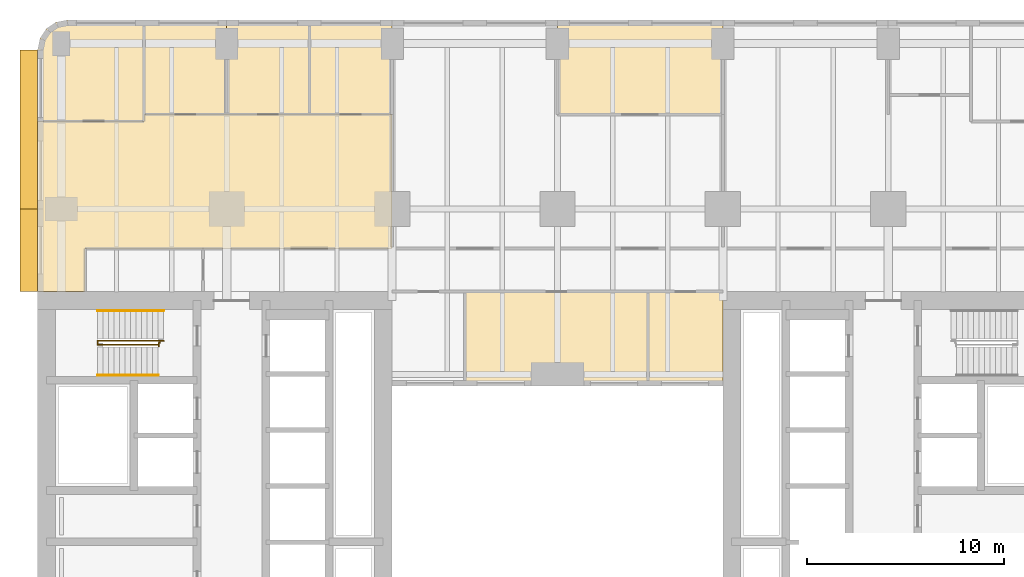
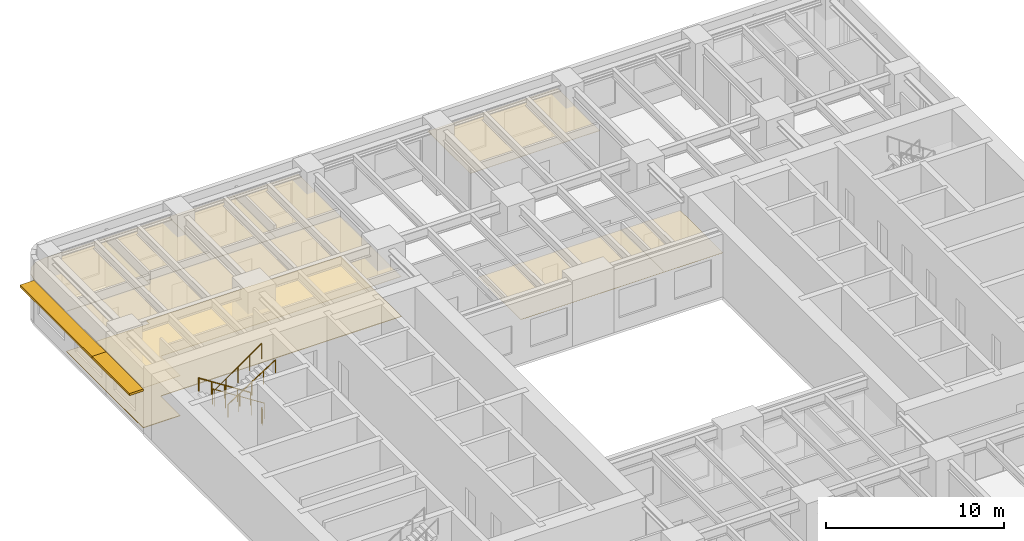
# One storey, part 12 of 13: 9 coverings, 4 railings, 2 shading devices.
"""IFC4 building model written with IfcOpenShell, lengths in metres."""

from ifc_helpers import new_model, si_unit, direction, frame, origin, origin_2d, place, context, subcontext, project, spatial, polyline, rectangle, circle, outline, extrude, material, layer, layer_set, type_object, element, save


model = new_model("IFC4")

# Units and contexts
model_context = context("Model", 3, precision=1e-05, world=origin(), true_north=direction((0.0, 1.0)))
body_context = subcontext(model_context, "Body", "Model", "MODEL_VIEW")
ifc_project = project(units=[si_unit("LENGTHUNIT", "METRE"), si_unit("AREAUNIT", "SQUARE_METRE"), si_unit("VOLUMEUNIT", "CUBIC_METRE"), si_unit("PLANEANGLEUNIT", "RADIAN"), si_unit("MASSUNIT", "GRAM", prefix="KILO")], contexts=[model_context])

# Site, building, storey
site_placement = place(None, origin())
site = spatial("IfcSite", under=ifc_project, at=site_placement, CompositionType="ELEMENT")
building_placement = place(site_placement, origin())
building = spatial("IfcBuilding", under=site, at=building_placement, Name="Claustro Exchange Tower", CompositionType="ELEMENT")
storey_placement = place(building_placement, frame((0.0, 0.0, 86.39990234375)))
storey = spatial("IfcBuildingStorey", under=building, at=storey_placement, Name="L19", CompositionType="ELEMENT", Elevation=86.39990234375)

# Coverings
ifc_material_1 = material(Name="Gypsum board ceiling", Category="gypsum board")
ifc_layer_1 = layer(ifc_material_1, 0.02490234375)
ifc_layer_set_1 = layer_set([ifc_layer_1], Name="Gypsum board ceiling")
covering_type_1 = type_object("IfcCoveringType", Name="CL2 plasterboard ceiling", PredefinedType="CEILING", material=ifc_layer_set_1)
covering_1_placement = place(storey_placement, frame((0.0, 0.0, 3.0)))
element("IfcCovering", 1, at=covering_1_placement, inside=storey, type_object=covering_type_1, Name="Ceiling CL2 L19-16", PredefinedType="CEILING", context=body_context, shape_type="SweptSolid", body=[
    extrude(outline(polyline([(20.5, 33.0), (29.800048828125, 33.0), (29.800048828125, 37.800048828125), (20.5, 37.800048828125), (20.5, 33.0)])), origin(), (0.0, 0.0, 1.0), 0.025146484375),
])
covering_2_placement = place(storey_placement, frame((0.0, 0.0, 3.0)))
element("IfcCovering", 2, at=covering_2_placement, inside=storey, type_object=covering_type_1, Name="Ceiling CL2 L19-17", PredefinedType="CEILING", context=body_context, shape_type="SweptSolid", body=[
    extrude(outline(polyline([(33.60009765625, 33.0), (33.60009765625, 37.800048828125), (29.800048828125, 37.800048828125), (29.800048828125, 33.0), (33.60009765625, 33.0)])), origin(), (0.0, 0.0, 1.0), 0.025146484375),
])
covering_3_placement = place(storey_placement, frame((0.0, 0.0, 3.0)))
element("IfcCovering", 3, at=covering_3_placement, inside=storey, type_object=covering_type_1, Name="Ceiling CL2 L19-20", PredefinedType="CEILING", context=body_context, shape_type="SweptSolid", body=[
    extrude(outline(polyline([(-1.199951171875, 46.449951171875), (-1.199951171875, 37.800048828125), (1.199951171875, 37.800048828125), (1.199951171875, 40.0), (7.199951171875, 40.0), (16.800048828125, 40.0), (16.800048828125, 46.800048828125), (12.60009765625, 46.800048828125), (8.39990234375, 46.800048828125), (4.199951171875, 46.800048828125), (4.199951171875, 46.449951171875), (-1.199951171875, 46.449951171875)])), origin(), (0.0, 0.0, 1.0), 0.025146484375),
])
covering_4_placement = place(storey_placement, frame((0.0, 0.0, 3.0)))
element("IfcCovering", 4, at=covering_4_placement, inside=storey, type_object=covering_type_1, Name="Ceiling CL2 L19-23", PredefinedType="CEILING", context=body_context, shape_type="SweptSolid", body=[
    extrude(outline(polyline([(-1.199951171875, 50.10009765625), (-1.199951171875, 46.449951171875), (4.199951171875, 46.449951171875), (4.199951171875, 51.60009765625), (0.300048828125, 51.60009765625), (-0.27392578125, 51.48583984375), (-0.7607421875, 51.16064453125), (-1.085693359375, 50.674072265625), (-1.199951171875, 50.10009765625)])), origin(), (0.0, 0.0, 1.0), 0.025146484375),
])
covering_5_placement = place(storey_placement, frame((0.0, 0.0, 3.0)))
element("IfcCovering", 5, at=covering_5_placement, inside=storey, type_object=covering_type_1, Name="Ceiling CL2 L19-25", PredefinedType="CEILING", context=body_context, shape_type="SweptSolid", body=[
    extrude(outline(polyline([(8.39990234375, 51.60009765625), (4.199951171875, 51.60009765625), (4.199951171875, 46.800048828125), (8.39990234375, 46.800048828125), (8.39990234375, 51.60009765625)])), origin(), (0.0, 0.0, 1.0), 0.025146484375),
])
covering_6_placement = place(storey_placement, frame((0.0, 0.0, 3.0)))
element("IfcCovering", 6, at=covering_6_placement, inside=storey, type_object=covering_type_1, Name="Ceiling CL2 L19-26", PredefinedType="CEILING", context=body_context, shape_type="SweptSolid", body=[
    extrude(outline(polyline([(12.60009765625, 51.60009765625), (8.39990234375, 51.60009765625), (8.39990234375, 46.800048828125), (12.60009765625, 46.800048828125), (12.60009765625, 51.60009765625)])), origin(), (0.0, 0.0, 1.0), 0.025146484375),
])
covering_7_placement = place(storey_placement, frame((0.0, 0.0, 3.0)))
element("IfcCovering", 7, at=covering_7_placement, inside=storey, type_object=covering_type_1, Name="Ceiling CL2 L19-27", PredefinedType="CEILING", context=body_context, shape_type="SweptSolid", body=[
    extrude(outline(polyline([(16.800048828125, 51.60009765625), (12.60009765625, 51.60009765625), (12.60009765625, 46.800048828125), (16.800048828125, 46.800048828125), (16.800048828125, 51.60009765625)])), origin(), (0.0, 0.0, 1.0), 0.025146484375),
])
covering_8_placement = place(storey_placement, frame((0.0, 0.0, 3.0)))
element("IfcCovering", 8, at=covering_8_placement, inside=storey, type_object=covering_type_1, Name="Ceiling CL2 L19-28", PredefinedType="CEILING", context=body_context, shape_type="SweptSolid", body=[
    extrude(outline(polyline([(33.60009765625, 51.60009765625), (25.199951171875, 51.60009765625), (25.199951171875, 46.800048828125), (33.60009765625, 46.800048828125), (33.60009765625, 51.60009765625)])), origin(), (0.0, 0.0, 1.0), 0.025146484375),
])

# Railings
ifc_material_2 = material(Name="Steel balustrade, painted", Category="steel")
railing_type_1 = type_object("IfcRailingType", Name="GR2 1100 steel stair guard", PredefinedType="GUARDRAIL", material=ifc_material_2)
railing_1_placement = place(storey_placement, frame((5.199951171875, 35.300048828125, 0.18017578125)))
element("IfcRailing", 9, at=railing_1_placement, inside=storey, type_object=railing_type_1, Name="Stair well guard GR2 stair STWB L19", PredefinedType="GUARDRAIL", context=body_context, shape_type="SweptSolid", body=[
    extrude(circle(Radius=0.02392578125, at=origin_2d()), frame((0.0, 0.0, 1.076171875), z_axis=(-0.841178475377, 0.0, 0.540757591313), x_axis=(0.0, -1.0, 0.0)), (0.0, 0.0, 1.0), 3.994140625),
    extrude(circle(Radius=0.02392578125, at=origin_2d()), frame((-3.35986328125, 0.0, 3.23583984375), z_axis=(0.0, -1.0, 0.0), x_axis=(1.0, 0.0, 0.0)), (0.0, 0.0, 1.0), 0.199951171875),
    extrude(circle(Radius=0.02392578125, at=origin_2d()), frame((-3.35986328125, -0.199951171875, 3.23583984375), z_axis=(0.818728512145, 0.0, 0.574180828137), x_axis=(0.0, 1.0, 0.0)), (0.0, 0.0, 1.0), 3.76171875),
    extrude(circle(Radius=0.02099609375, at=origin_2d()), origin(), (0.0, 0.0, 1.0), 1.052001953125),
    extrude(circle(Radius=0.02099609375, at=origin_2d()), frame((-0.83984375, 0.0, 0.5400390625)), (0.0, 0.0, 1.0), 1.052001953125),
    extrude(circle(Radius=0.02099609375, at=origin_2d()), frame((-1.679931640625, 0.0, 1.080078125)), (0.0, 0.0, 1.0), 1.052001953125),
    extrude(circle(Radius=0.02099609375, at=origin_2d()), frame((-2.52001953125, 0.0, 1.619873046875)), (0.0, 0.0, 1.0), 1.052001953125),
    extrude(circle(Radius=0.02099609375, at=origin_2d()), frame((-3.35986328125, 0.0, 2.159912109375)), (0.0, 0.0, 1.0), 1.052001953125),
    extrude(circle(Radius=0.02099609375, at=origin_2d()), frame((-3.35986328125, -0.199951171875, 2.159912109375)), (0.0, 0.0, 1.0), 1.052001953125),
    extrude(circle(Radius=0.02099609375, at=origin_2d()), frame((-2.58984375, -0.199951171875, 2.699951171875)), (0.0, 0.0, 1.0), 1.052001953125),
    extrude(circle(Radius=0.02099609375, at=origin_2d()), frame((-1.81982421875, -0.199951171875, 3.23974609375)), (0.0, 0.0, 1.0), 1.052001953125),
    extrude(circle(Radius=0.02099609375, at=origin_2d()), frame((-1.050048828125, -0.199951171875, 3.77978515625)), (0.0, 0.0, 1.0), 1.052001953125),
    extrude(circle(Radius=0.02099609375, at=origin_2d()), frame((-0.280029296875, -0.199951171875, 4.31982421875)), (0.0, 0.0, 1.0), 1.052001953125),
])
railing_2_placement = place(storey_placement, frame((5.0, 35.22998046875, 0.0)))
element("IfcRailing", 10, at=railing_2_placement, inside=storey, type_object=railing_type_1, Name="Stair guard GR2 STWB L19", PredefinedType="GUARDRAIL", context=body_context, shape_type="SweptSolid", body=[
    extrude(circle(Radius=0.02392578125, at=origin_2d()), frame((0.0, 0.0, 1.076171875), z_axis=(0.0, -1.0, 0.0), x_axis=(1.0, 0.0, 0.0)), (0.0, 0.0, 1.0), 0.030029296875),
    extrude(circle(Radius=0.02392578125, at=origin_2d()), frame((0.0, -0.030029296875, 1.076171875), z_axis=(-1.0, 0.0, 0.0), x_axis=(0.0, -1.0, 0.0)), (0.0, 0.0, 1.0), 0.054931640625),
    extrude(circle(Radius=0.02392578125, at=origin_2d()), frame((-0.054931640625, -0.030029296875, 1.076171875), z_axis=(0.0, -1.0, 0.0), x_axis=(1.0, 0.0, 0.0)), (0.0, 0.0, 1.0), 0.179931640625),
    extrude(circle(Radius=0.02099609375, at=origin_2d()), origin(), (0.0, 0.0, 1.0), 1.052001953125),
    extrude(circle(Radius=0.02099609375, at=origin_2d()), frame((0.0, -0.030029296875, 0.0)), (0.0, 0.0, 1.0), 1.052001953125),
    extrude(circle(Radius=0.02099609375, at=origin_2d()), frame((-0.054931640625, -0.030029296875, 0.0)), (0.0, 0.0, 1.0), 1.052001953125),
    extrude(circle(Radius=0.02099609375, at=origin_2d()), frame((-0.054931640625, -0.2099609375, 0.0)), (0.0, 0.0, 1.0), 1.052001953125),
])
ifc_material_3 = material(Name="Stainless steel tube", Category="steel")
railing_type_2 = type_object("IfcRailingType", Name="HR1 900 stair handrail", PredefinedType="HANDRAIL", material=ifc_material_3)
railing_3_placement = place(storey_placement, frame((5.199951171875, 36.840087890625, 0.18017578125)))
element("IfcRailing", 11, at=railing_3_placement, inside=storey, type_object=railing_type_2, Name="Handrail HR1 stair STWB L19", PredefinedType="HANDRAIL", context=body_context, shape_type="SweptSolid", body=[
    extrude(circle(Radius=0.02392578125, at=origin_2d()), frame((0.0, 0.0, 0.8759765625), z_axis=(-0.841178475377, 0.0, 0.540757591313), x_axis=(0.0, -1.0, 0.0)), (0.0, 0.0, 1.0), 3.994140625),
    extrude(circle(Radius=0.02099609375, at=origin_2d()), origin(), (0.0, 0.0, 1.0), 0.851806640625),
    extrude(circle(Radius=0.02099609375, at=origin_2d()), frame((-0.83984375, 0.0, 0.5400390625)), (0.0, 0.0, 1.0), 0.851806640625),
    extrude(circle(Radius=0.02099609375, at=origin_2d()), frame((-1.679931640625, 0.0, 1.080078125)), (0.0, 0.0, 1.0), 0.851806640625),
    extrude(circle(Radius=0.02099609375, at=origin_2d()), frame((-2.52001953125, 0.0, 1.619873046875)), (0.0, 0.0, 1.0), 0.851806640625),
    extrude(circle(Radius=0.02099609375, at=origin_2d()), frame((-3.35986328125, 0.0, 2.159912109375)), (0.0, 0.0, 1.0), 0.851806640625),
])
railing_4_placement = place(storey_placement, frame((1.840087890625, 33.56005859375, 2.52001953125)))
element("IfcRailing", 12, at=railing_4_placement, inside=storey, type_object=railing_type_2, Name="Handrail HR1 stair STWB L19", PredefinedType="HANDRAIL", context=body_context, shape_type="SweptSolid", body=[
    extrude(circle(Radius=0.02392578125, at=origin_2d()), frame((0.0, 0.0, 0.8759765625), z_axis=(0.841167642724, 0.0, 0.540774441735), x_axis=(0.0, 1.0, 0.0)), (0.0, 0.0, 1.0), 3.661376953125),
    extrude(circle(Radius=0.02099609375, at=origin_2d()), origin(), (0.0, 0.0, 1.0), 0.851806640625),
    extrude(circle(Radius=0.02099609375, at=origin_2d()), frame((0.77001953125, 0.0, 0.4951171875)), (0.0, 0.0, 1.0), 0.851806640625),
    extrude(circle(Radius=0.02099609375, at=origin_2d()), frame((1.5400390625, 0.0, 0.989990234375)), (0.0, 0.0, 1.0), 0.851806640625),
    extrude(circle(Radius=0.02099609375, at=origin_2d()), frame((2.309814453125, 0.0, 1.48486328125)), (0.0, 0.0, 1.0), 0.851806640625),
    extrude(circle(Radius=0.02099609375, at=origin_2d()), frame((3.079833984375, 0.0, 1.97998046875)), (0.0, 0.0, 1.0), 0.851806640625),
])

# Covering
ifc_material_4 = material(Name="Steel-encased raised floor panels on pedestals", Category="steel")
ifc_layer_2 = layer(ifc_material_4, 0.0400390625)
ifc_layer_set_2 = layer_set([ifc_layer_2], Name="Steel-encased raised floor panels on pedestals")
covering_type_2 = type_object("IfcCoveringType", Name="RF1 300 raised access floor", PredefinedType="FLOORING", material=ifc_layer_set_2)
covering_9_placement = place(storey_placement, frame((0.0, 0.0, 0.260009765625)))
element("IfcCovering", 13, at=covering_9_placement, inside=storey, type_object=covering_type_2, Name="Raised access floor RF1 L19-20", PredefinedType="FLOORING", context=body_context, shape_type="SweptSolid", body=[
    extrude(outline(polyline([(-1.199951171875, 46.449951171875), (-1.199951171875, 37.800048828125), (1.199951171875, 37.800048828125), (1.199951171875, 40.0), (7.199951171875, 40.0), (16.800048828125, 40.0), (16.800048828125, 46.800048828125), (12.60009765625, 46.800048828125), (8.39990234375, 46.800048828125), (4.199951171875, 46.800048828125), (4.199951171875, 46.449951171875), (-1.199951171875, 46.449951171875)])), origin(), (0.0, 0.0, 1.0), 0.0400390625),
])

# Shading devices
ifc_material_5 = material(Name="Concrete HA-40 (C40/50), precast, white cement, acid-etched", Category="concrete")
ifc_layer_3 = layer(ifc_material_5, 0.14990234375)
ifc_layer_set_3 = layer_set([ifc_layer_3], Name="Concrete HA-40 (C40/50), precast, white cement, acid-etched")
shading_device_type = type_object("IfcShadingDeviceType", Name="SS2 900 precast concrete SUNSHADE", PredefinedType="SHUTTER", material=ifc_layer_set_3)
shading_device_1_placement = place(storey_placement, frame((-1.64990234375, 39.89990234375, 2.800048828125), z_axis=(0.0, 0.0, 1.0), x_axis=(0.0, 1.0, 0.0)))
element("IfcShadingDevice", 14, at=shading_device_1_placement, inside=storey, type_object=shading_device_type, Name="Precast SUNSHADE SS2 L19", PredefinedType="SHUTTER", context=body_context, shape_type="SweptSolid", body=[
    extrude(rectangle(XDim=4.199951171875, YDim=0.89990234375, at=origin_2d()), origin(), (0.0, 0.0, 1.0), 0.14990234375),
])
shading_device_2_placement = place(storey_placement, frame((-1.64990234375, 46.04248046875, 2.800048828125), z_axis=(0.0, 0.0, 1.0), x_axis=(0.0, 1.0, 0.0)))
element("IfcShadingDevice", 15, at=shading_device_2_placement, inside=storey, type_object=shading_device_type, Name="Precast SUNSHADE SS2 L19", PredefinedType="SHUTTER", context=body_context, shape_type="SweptSolid", body=[
    extrude(rectangle(XDim=8.085205078125, YDim=0.89990234375, at=origin_2d()), origin(), (0.0, 0.0, 1.0), 0.14990234375),
])

save(model, "model.ifc")
